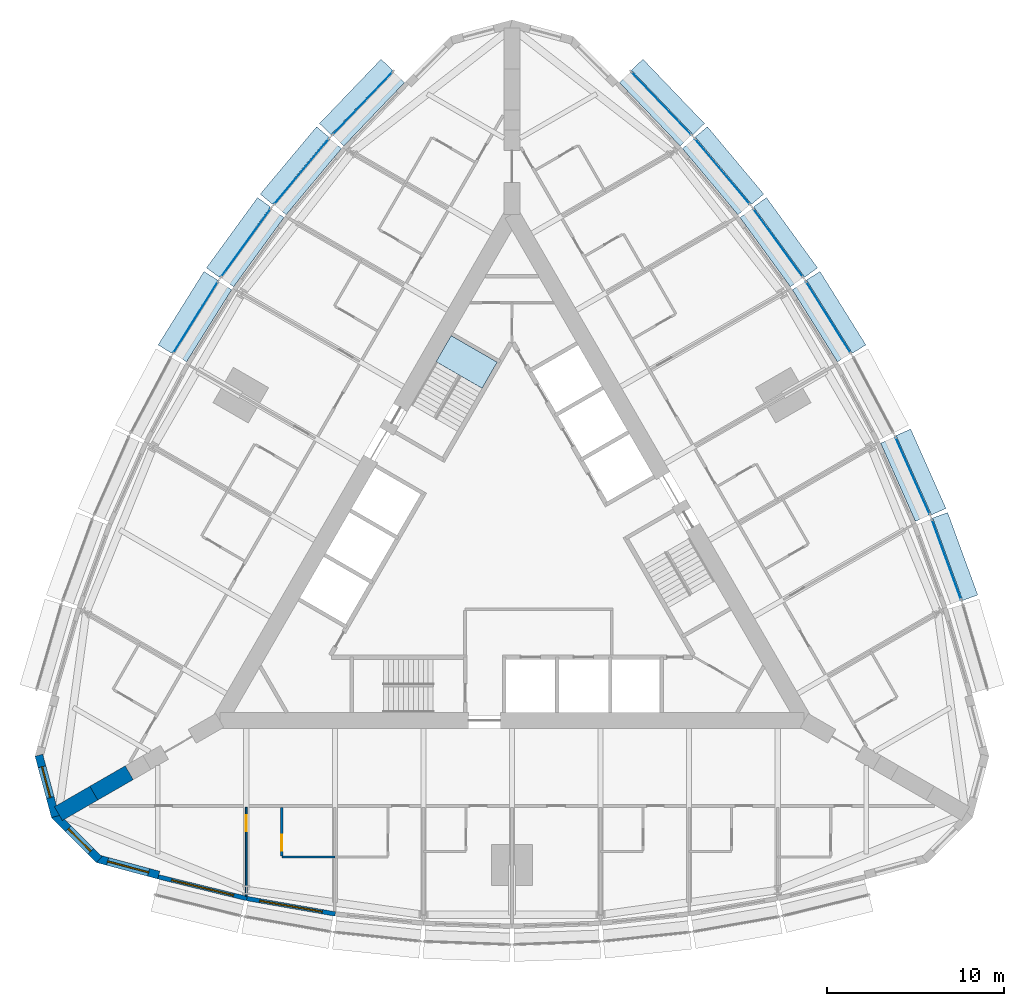
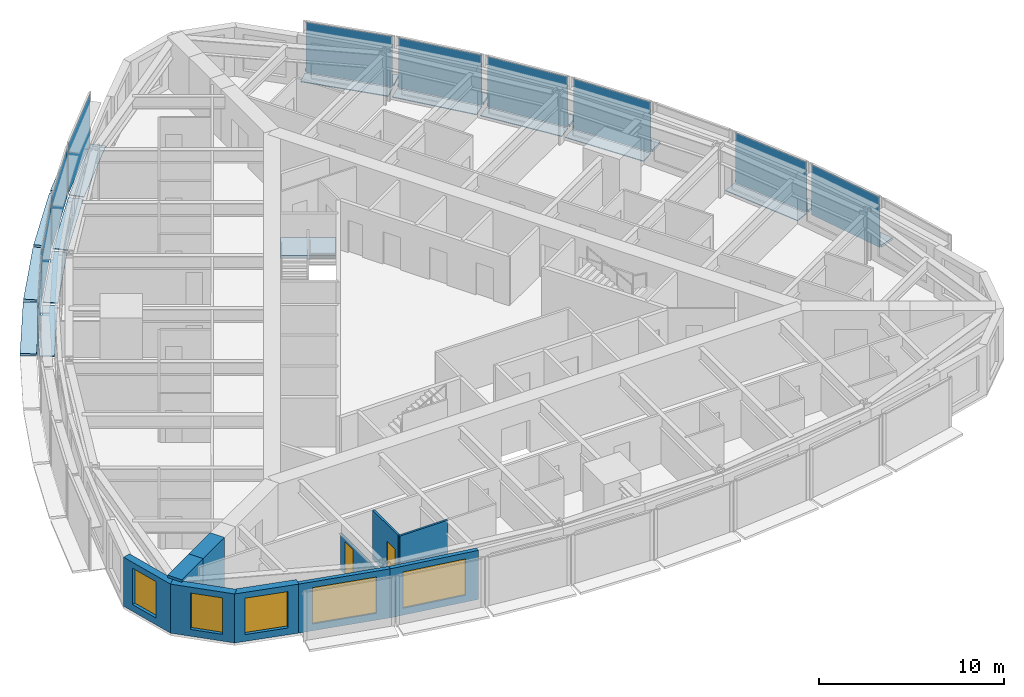
# One storey, part 7 of 14: 29 plates, 10 walls, 5 windows, 2 doors, 1 slab, 7 openings, 11 elements without a shape of their own.
"""IFC4 building model written with IfcOpenShell, lengths in metres."""

from ifc_helpers import new_model, si_unit, direction, frame, frame_2d, origin, origin_2d, place, context, subcontext, project, spatial, polyline, rectangle, outline, extrude, material, layer, layer_set, type_object, element, fill, aggregate, save


model = new_model("IFC4")

# Units and contexts
model_context = context("Model", 3, precision=1e-05, world=origin(), true_north=direction((0.0, 1.0)))
body_context = subcontext(model_context, "Body", "Model", "MODEL_VIEW")
ifc_project = project(units=[si_unit("LENGTHUNIT", "METRE"), si_unit("AREAUNIT", "SQUARE_METRE"), si_unit("VOLUMEUNIT", "CUBIC_METRE"), si_unit("PLANEANGLEUNIT", "RADIAN"), si_unit("MASSUNIT", "GRAM", prefix="KILO")], contexts=[model_context])

# Site, building, storey
site_placement = place(None, origin())
site = spatial("IfcSite", under=ifc_project, at=site_placement, CompositionType="ELEMENT")
building_placement = place(site_placement, origin())
building = spatial("IfcBuilding", under=site, at=building_placement, Name="Trikona Tower", CompositionType="ELEMENT")
storey_placement = place(building_placement, frame((0.0, 0.0, 148.699951171875)))
storey = spatial("IfcBuildingStorey", under=building, at=storey_placement, Name="L39", CompositionType="ELEMENT", Elevation=148.699951171875)

# Plates
ifc_material_1 = material(Name="Aluminium bar grating", Category="aluminium")
ifc_layer_1 = layer(ifc_material_1, 0.050048828125)
ifc_layer_set_1 = layer_set([ifc_layer_1], Name="Cavity catwalk grating")
plate_type_1 = type_object("IfcPlateType", Name="Cavity catwalk grating", PredefinedType="USERDEFINED", material=ifc_layer_set_1)
plate_1_placement = place(storey_placement, frame((22.175048828125, 4.092529296875, -0.0498046875), z_axis=(0.0, 0.0, 1.0), x_axis=(-0.406843467615, 0.913497888809, 0.0)))
element("IfcPlate", 1, at=plate_1_placement, inside=storey, type_object=plate_type_1, Name="Cavity catwalk L39-14", ObjectType="CATWALK GRATING", PredefinedType="USERDEFINED", context=body_context, shape_type="SweptSolid", body=[
    extrude(rectangle(XDim=4.827392578125, YDim=0.830078125, at=origin_2d()), origin(), (0.0, 0.0, 1.0), 0.050048828125),
])
plate_2_placement = place(storey_placement, frame((17.450927734375, 12.978759765625, -0.0498046875), z_axis=(0.0, 0.0, 1.0), x_axis=(-0.529994748414, 0.848000923734, 0.0)))
element("IfcPlate", 2, at=plate_2_placement, inside=storey, type_object=plate_type_1, Name="Cavity catwalk L39-16", ObjectType="CATWALK GRATING", PredefinedType="USERDEFINED", context=body_context, shape_type="SweptSolid", body=[
    extrude(rectangle(XDim=4.802978515625, YDim=0.830078125, at=origin_2d()), origin(), (0.0, 0.0, 1.0), 0.050048828125),
])
plate_3_placement = place(storey_placement, frame((14.6318359375, 17.157958984375, -0.0498046875), z_axis=(0.0, 0.0, 1.0), x_axis=(-0.587686407834, 0.809088799853, 0.0)))
element("IfcPlate", 3, at=plate_3_placement, inside=storey, type_object=plate_type_1, Name="Cavity catwalk L39-17", ObjectType="CATWALK GRATING", PredefinedType="USERDEFINED", context=body_context, shape_type="SweptSolid", body=[
    extrude(rectangle(XDim=4.827392578125, YDim=0.830078125, at=origin_2d()), origin(), (0.0, 0.0, 1.0), 0.050048828125),
])
plate_4_placement = place(storey_placement, frame((11.508056640625, 21.160400390625, -0.0498046875), z_axis=(0.0, 0.0, 1.0), x_axis=(-0.641807063101, 0.766866151133, 0.0)))
element("IfcPlate", 4, at=plate_4_placement, inside=storey, type_object=plate_type_1, Name="Cavity catwalk L39-18", ObjectType="CATWALK GRATING", PredefinedType="USERDEFINED", context=body_context, shape_type="SweptSolid", body=[
    extrude(rectangle(XDim=4.8759765625, YDim=0.830078125, at=origin_2d()), origin(), (0.0, 0.0, 1.0), 0.050048828125),
])
for number, where, z_axis, x_axis, name in (
    (5, (8.080078125, 24.986328125, -0.0498046875), (0.0, 0.0, 1.0), (-0.691723573819, 0.722162376078, 0.0), "Cavity catwalk L39-19"),
    (6, (-8.080078125, 24.986328125, -0.0498046875), (0.0, 0.0, 1.0), (-0.691723573819, -0.722162376078, 0.0), "Cavity catwalk L39-24"),
):
    element("IfcPlate", number, at=place(storey_placement, frame(where, z_axis=z_axis, x_axis=x_axis)), inside=storey, type_object=plate_type_1, Name=name, ObjectType="CATWALK GRATING", PredefinedType="USERDEFINED", context=body_context, shape_type="SweptSolid", body=[
        extrude(rectangle(XDim=4.947998046875, YDim=0.830078125, at=origin_2d()), origin(), (0.0, 0.0, 1.0), 0.050048828125),
    ])
plate_5_placement = place(storey_placement, frame((-11.508056640625, 21.160400390625, -0.0498046875), z_axis=(0.0, 0.0, 1.0), x_axis=(-0.641807063101, -0.766866151133, 0.0)))
element("IfcPlate", 7, at=plate_5_placement, inside=storey, type_object=plate_type_1, Name="Cavity catwalk L39-25", ObjectType="CATWALK GRATING", PredefinedType="USERDEFINED", context=body_context, shape_type="SweptSolid", body=[
    extrude(rectangle(XDim=4.8759765625, YDim=0.830078125, at=origin_2d()), origin(), (0.0, 0.0, 1.0), 0.050048828125),
])
plate_6_placement = place(storey_placement, frame((-14.6318359375, 17.157958984375, -0.0498046875), z_axis=(0.0, 0.0, 1.0), x_axis=(-0.587686407834, -0.809088799853, 0.0)))
element("IfcPlate", 8, at=plate_6_placement, inside=storey, type_object=plate_type_1, Name="Cavity catwalk L39-26", ObjectType="CATWALK GRATING", PredefinedType="USERDEFINED", context=body_context, shape_type="SweptSolid", body=[
    extrude(rectangle(XDim=4.827392578125, YDim=0.830078125, at=origin_2d()), origin(), (0.0, 0.0, 1.0), 0.050048828125),
])
plate_7_placement = place(storey_placement, frame((-17.450927734375, 12.978759765625, -0.0498046875), z_axis=(0.0, 0.0, 1.0), x_axis=(-0.529994748414, -0.848000923734, 0.0)))
element("IfcPlate", 9, at=plate_7_placement, inside=storey, type_object=plate_type_1, Name="Cavity catwalk L39-27", ObjectType="CATWALK GRATING", PredefinedType="USERDEFINED", context=body_context, shape_type="SweptSolid", body=[
    extrude(rectangle(XDim=4.802978515625, YDim=0.830078125, at=origin_2d()), origin(), (0.0, 0.0, 1.0), 0.050048828125),
])

# Curtain wall, plate
ifc_material_2 = material(Name="Aluminium curtain wall system", Category="aluminium")
curtain_wall_type = type_object("IfcCurtainWallType", Name="Curtain wall DS2", PredefinedType="NOTDEFINED", material=ifc_material_2)
curtain_wall_1_placement = place(storey_placement, origin())
curtain_wall_1 = element("IfcCurtainWall", 10, at=curtain_wall_1_placement, inside=storey, type_object=curtain_wall_type, Name="Curtain wall DS2 L39", PredefinedType="NOTDEFINED")
ifc_material_3 = material(Name="Laminated clear glass", Category="glass")
ifc_layer_2 = layer(ifc_material_3, 0.028076171875)
ifc_layer_set_2 = layer_set([ifc_layer_2], Name="Glass panel DS2")
plate_type_2 = type_object("IfcPlateType", Name="Glass panel DS2", PredefinedType="CURTAIN_PANEL", material=ifc_layer_set_2)
plate_8_placement = place(storey_placement, frame((24.53515625, -0.447509765625, 0.0), z_axis=(0.0, 0.0, 1.0), x_axis=(-0.343223420143, 0.939253790978, 0.0)))
plate_8 = element("IfcPlate", 11, at=plate_8_placement, type_object=plate_type_2, Name="CW-DS2 panel 1.1", PredefinedType="CURTAIN_PANEL", context=body_context, shape_type="SweptSolid", body=[
    extrude(rectangle(XDim=4.7958984375, YDim=0.028076171875, at=origin_2d()), origin(), (0.0, 0.0, 1.0), 3.320068359375),
])
aggregate(curtain_wall_1, [plate_8])

curtain_wall_2_placement = place(storey_placement, origin())
curtain_wall_2 = element("IfcCurtainWall", 12, at=curtain_wall_2_placement, inside=storey, type_object=curtain_wall_type, Name="Curtain wall DS2 L39", PredefinedType="NOTDEFINED")
plate_9_placement = place(storey_placement, frame((22.6181640625, 4.289794921875, 0.0), z_axis=(0.0, 0.0, 1.0), x_axis=(-0.406836013132, 0.913501208767, 0.0)))
plate_9 = element("IfcPlate", 13, at=plate_9_placement, type_object=plate_type_2, Name="CW-DS2 panel 1.1", PredefinedType="CURTAIN_PANEL", context=body_context, shape_type="SweptSolid", body=[
    extrude(rectangle(XDim=4.747314453125, YDim=0.028076171875, at=origin_2d()), origin(), (0.0, 0.0, 1.0), 3.320068359375),
])
aggregate(curtain_wall_2, [plate_9])

curtain_wall_3_placement = place(storey_placement, origin())
curtain_wall_3 = element("IfcCurtainWall", 14, at=curtain_wall_3_placement, inside=storey, type_object=curtain_wall_type, Name="Curtain wall DS2 L39", PredefinedType="NOTDEFINED")
plate_10_placement = place(storey_placement, frame((17.8623046875, 13.23583984375, 0.0), z_axis=(0.0, 0.0, 1.0), x_axis=(-0.529998940002, 0.847998304006, 0.0)))
plate_10 = element("IfcPlate", 15, at=plate_10_placement, type_object=plate_type_2, Name="CW-DS2 panel 1.1", PredefinedType="CURTAIN_PANEL", context=body_context, shape_type="SweptSolid", body=[
    extrude(rectangle(XDim=4.72314453125, YDim=0.028076171875, at=origin_2d()), origin(), (0.0, 0.0, 1.0), 3.320068359375),
])
aggregate(curtain_wall_3, [plate_10])

curtain_wall_4_placement = place(storey_placement, origin())
curtain_wall_4 = element("IfcCurtainWall", 16, at=curtain_wall_4_placement, inside=storey, type_object=curtain_wall_type, Name="Curtain wall DS2 L39", PredefinedType="NOTDEFINED")
plate_11_placement = place(storey_placement, frame((15.024169921875, 17.443115234375, 0.0), z_axis=(0.0, 0.0, 1.0), x_axis=(-0.587690588313, 0.80908576332, 0.0)))
plate_11 = element("IfcPlate", 17, at=plate_11_placement, type_object=plate_type_2, Name="CW-DS2 panel 1.1", PredefinedType="CURTAIN_PANEL", context=body_context, shape_type="SweptSolid", body=[
    extrude(rectangle(XDim=4.74755859375, YDim=0.028076171875, at=origin_2d()), origin(), (0.0, 0.0, 1.0), 3.320068359375),
])
aggregate(curtain_wall_4, [plate_11])

curtain_wall_5_placement = place(storey_placement, origin())
curtain_wall_5 = element("IfcCurtainWall", 18, at=curtain_wall_5_placement, inside=storey, type_object=curtain_wall_type, Name="Curtain wall DS2 L39", PredefinedType="NOTDEFINED")
plate_12_placement = place(storey_placement, frame((11.8798828125, 21.4716796875, 0.0), z_axis=(0.0, 0.0, 1.0), x_axis=(-0.641806433248, 0.766866678271, 0.0)))
plate_12 = element("IfcPlate", 19, at=plate_12_placement, type_object=plate_type_2, Name="CW-DS2 panel 1.1", PredefinedType="CURTAIN_PANEL", context=body_context, shape_type="SweptSolid", body=[
    extrude(rectangle(XDim=4.7958984375, YDim=0.028076171875, at=origin_2d()), origin(), (0.0, 0.0, 1.0), 3.320068359375),
])
aggregate(curtain_wall_5, [plate_12])

curtain_wall_6_placement = place(storey_placement, origin())
curtain_wall_6 = element("IfcCurtainWall", 20, at=curtain_wall_6_placement, inside=storey, type_object=curtain_wall_type, Name="Curtain wall DS2 L39", PredefinedType="NOTDEFINED")
plate_13_placement = place(storey_placement, frame((8.430419921875, 25.32177734375, 0.0), z_axis=(0.0, 0.0, 1.0), x_axis=(-0.691727797117, 0.722158330767, 0.0)))
plate_13 = element("IfcPlate", 21, at=plate_13_placement, type_object=plate_type_2, Name="CW-DS2 panel 1.1", PredefinedType="CURTAIN_PANEL", context=body_context, shape_type="SweptSolid", body=[
    extrude(rectangle(XDim=4.867919921875, YDim=0.028076171875, at=origin_2d()), origin(), (0.0, 0.0, 1.0), 3.320068359375),
])
aggregate(curtain_wall_6, [plate_13])

curtain_wall_7_placement = place(storey_placement, origin())
curtain_wall_7 = element("IfcCurtainWall", 22, at=curtain_wall_7_placement, inside=storey, type_object=curtain_wall_type, Name="Curtain wall DS2 L39", PredefinedType="NOTDEFINED")
plate_14_placement = place(storey_placement, frame((-8.430419921875, 25.32177734375, 0.0), z_axis=(0.0, 0.0, 1.0), x_axis=(-0.691727797117, -0.722158330767, 0.0)))
plate_14 = element("IfcPlate", 23, at=plate_14_placement, type_object=plate_type_2, Name="CW-DS2 panel 1.1", PredefinedType="CURTAIN_PANEL", context=body_context, shape_type="SweptSolid", body=[
    extrude(rectangle(XDim=4.867919921875, YDim=0.028076171875, at=origin_2d()), origin(), (0.0, 0.0, 1.0), 3.320068359375),
])
aggregate(curtain_wall_7, [plate_14])

curtain_wall_8_placement = place(storey_placement, origin())
curtain_wall_8 = element("IfcCurtainWall", 24, at=curtain_wall_8_placement, inside=storey, type_object=curtain_wall_type, Name="Curtain wall DS2 L39", PredefinedType="NOTDEFINED")
plate_15_placement = place(storey_placement, frame((-11.8798828125, 21.4716796875, 0.0), z_axis=(0.0, 0.0, 1.0), x_axis=(-0.641806433248, -0.766866678271, 0.0)))
plate_15 = element("IfcPlate", 25, at=plate_15_placement, type_object=plate_type_2, Name="CW-DS2 panel 1.1", PredefinedType="CURTAIN_PANEL", context=body_context, shape_type="SweptSolid", body=[
    extrude(rectangle(XDim=4.7958984375, YDim=0.028076171875, at=origin_2d()), origin(), (0.0, 0.0, 1.0), 3.320068359375),
])
aggregate(curtain_wall_8, [plate_15])

curtain_wall_9_placement = place(storey_placement, origin())
curtain_wall_9 = element("IfcCurtainWall", 26, at=curtain_wall_9_placement, inside=storey, type_object=curtain_wall_type, Name="Curtain wall DS2 L39", PredefinedType="NOTDEFINED")
plate_16_placement = place(storey_placement, frame((-15.024169921875, 17.443115234375, 0.0), z_axis=(0.0, 0.0, 1.0), x_axis=(-0.587690588313, -0.80908576332, 0.0)))
plate_16 = element("IfcPlate", 27, at=plate_16_placement, type_object=plate_type_2, Name="CW-DS2 panel 1.1", PredefinedType="CURTAIN_PANEL", context=body_context, shape_type="SweptSolid", body=[
    extrude(rectangle(XDim=4.74755859375, YDim=0.028076171875, at=origin_2d()), origin(), (0.0, 0.0, 1.0), 3.320068359375),
])
aggregate(curtain_wall_9, [plate_16])

curtain_wall_10_placement = place(storey_placement, origin())
curtain_wall_10 = element("IfcCurtainWall", 28, at=curtain_wall_10_placement, inside=storey, type_object=curtain_wall_type, Name="Curtain wall DS2 L39", PredefinedType="NOTDEFINED")
plate_17_placement = place(storey_placement, frame((-17.8623046875, 13.23583984375, 0.0), z_axis=(0.0, 0.0, 1.0), x_axis=(-0.529998940002, -0.847998304006, 0.0)))
plate_17 = element("IfcPlate", 29, at=plate_17_placement, type_object=plate_type_2, Name="CW-DS2 panel 1.1", PredefinedType="CURTAIN_PANEL", context=body_context, shape_type="SweptSolid", body=[
    extrude(rectangle(XDim=4.72314453125, YDim=0.028076171875, at=origin_2d()), origin(), (0.0, 0.0, 1.0), 3.320068359375),
])
aggregate(curtain_wall_10, [plate_17])

# Plates
ifc_material_4 = material(Name="Aluminium plate fin, pale anodised, on stainless steel outriggers", Category="steel")
ifc_layer_3 = layer(ifc_material_4, 0.14990234375)
ifc_layer_set_3 = layer_set([ifc_layer_3], Name="Outer skin fin 900")
plate_type_3 = type_object("IfcPlateType", Name="Outer skin fin 900", PredefinedType="USERDEFINED", material=ifc_layer_set_3)
plate_18_placement = place(storey_placement, frame((25.0234375, -0.26904296875, 0.0), z_axis=(0.0, 0.0, 1.0), x_axis=(-0.343220397324, 0.939254895575, 0.0)))
element("IfcPlate", 30, at=plate_18_placement, inside=storey, type_object=plate_type_3, Name="Outer skin fin L39-13", ObjectType="FIN", PredefinedType="USERDEFINED", context=body_context, shape_type="SweptSolid", body=[
    extrude(rectangle(XDim=4.9560546875, YDim=0.89990234375, at=origin_2d()), origin(), (0.0, 0.0, 1.0), 0.14990234375),
])
plate_19_placement = place(storey_placement, frame((23.09326171875, 4.50146484375, 0.0), z_axis=(0.0, 0.0, 1.0), x_axis=(-0.406843467615, 0.913497888809, 0.0)))
element("IfcPlate", 31, at=plate_19_placement, inside=storey, type_object=plate_type_3, Name="Outer skin fin L39-14", ObjectType="FIN", PredefinedType="USERDEFINED", context=body_context, shape_type="SweptSolid", body=[
    extrude(rectangle(XDim=4.907470703125, YDim=0.89990234375, at=origin_2d()), origin(), (0.0, 0.0, 1.0), 0.14990234375),
])
plate_20_placement = place(storey_placement, frame((18.30322265625, 13.511474609375, 0.0), z_axis=(0.0, 0.0, 1.0), x_axis=(-0.529994748414, 0.848000923734, 0.0)))
element("IfcPlate", 32, at=plate_20_placement, inside=storey, type_object=plate_type_3, Name="Outer skin fin L39-16", ObjectType="FIN", PredefinedType="USERDEFINED", context=body_context, shape_type="SweptSolid", body=[
    extrude(rectangle(XDim=4.883056640625, YDim=0.89990234375, at=origin_2d()), origin(), (0.0, 0.0, 1.0), 0.14990234375),
])
plate_21_placement = place(storey_placement, frame((15.44482421875, 17.74853515625, 0.0), z_axis=(0.0, 0.0, 1.0), x_axis=(-0.587686407834, 0.809088799853, 0.0)))
element("IfcPlate", 33, at=plate_21_placement, inside=storey, type_object=plate_type_3, Name="Outer skin fin L39-17", ObjectType="FIN", PredefinedType="USERDEFINED", context=body_context, shape_type="SweptSolid", body=[
    extrude(rectangle(XDim=4.907470703125, YDim=0.89990234375, at=origin_2d()), origin(), (0.0, 0.0, 1.0), 0.14990234375),
])
plate_22_placement = place(storey_placement, frame((12.27880859375, 21.8056640625, 0.0), z_axis=(0.0, 0.0, 1.0), x_axis=(-0.641807063101, 0.766866151133, 0.0)))
element("IfcPlate", 34, at=plate_22_placement, inside=storey, type_object=plate_type_3, Name="Outer skin fin L39-18", ObjectType="FIN", PredefinedType="USERDEFINED", context=body_context, shape_type="SweptSolid", body=[
    extrude(rectangle(XDim=4.9560546875, YDim=0.89990234375, at=origin_2d()), origin(), (0.0, 0.0, 1.0), 0.14990234375),
])
for number, where, z_axis, x_axis, name in (
    (35, (8.805908203125, 25.681396484375, 0.0), (0.0, 0.0, 1.0), (-0.691723573819, 0.722162376078, 0.0), "Outer skin fin L39-19"),
    (36, (-8.805908203125, 25.681396484375, 0.0), (0.0, 0.0, 1.0), (-0.691723573819, -0.722162376078, 0.0), "Outer skin fin L39-24"),
):
    element("IfcPlate", number, at=place(storey_placement, frame(where, z_axis=z_axis, x_axis=x_axis)), inside=storey, type_object=plate_type_3, Name=name, ObjectType="FIN", PredefinedType="USERDEFINED", context=body_context, shape_type="SweptSolid", body=[
        extrude(rectangle(XDim=5.02783203125, YDim=0.89990234375, at=origin_2d()), origin(), (0.0, 0.0, 1.0), 0.14990234375),
    ])
plate_23_placement = place(storey_placement, frame((-12.27880859375, 21.8056640625, 0.0), z_axis=(0.0, 0.0, 1.0), x_axis=(-0.641807063101, -0.766866151133, 0.0)))
element("IfcPlate", 37, at=plate_23_placement, inside=storey, type_object=plate_type_3, Name="Outer skin fin L39-25", ObjectType="FIN", PredefinedType="USERDEFINED", context=body_context, shape_type="SweptSolid", body=[
    extrude(rectangle(XDim=4.9560546875, YDim=0.89990234375, at=origin_2d()), origin(), (0.0, 0.0, 1.0), 0.14990234375),
])
plate_24_placement = place(storey_placement, frame((-15.44482421875, 17.74853515625, 0.0), z_axis=(0.0, 0.0, 1.0), x_axis=(-0.587686407834, -0.809088799853, 0.0)))
element("IfcPlate", 38, at=plate_24_placement, inside=storey, type_object=plate_type_3, Name="Outer skin fin L39-26", ObjectType="FIN", PredefinedType="USERDEFINED", context=body_context, shape_type="SweptSolid", body=[
    extrude(rectangle(XDim=4.907470703125, YDim=0.89990234375, at=origin_2d()), origin(), (0.0, 0.0, 1.0), 0.14990234375),
])
plate_25_placement = place(storey_placement, frame((-18.30322265625, 13.511474609375, 0.0), z_axis=(0.0, 0.0, 1.0), x_axis=(-0.529994748414, -0.848000923734, 0.0)))
element("IfcPlate", 39, at=plate_25_placement, inside=storey, type_object=plate_type_3, Name="Outer skin fin L39-27", ObjectType="FIN", PredefinedType="USERDEFINED", context=body_context, shape_type="SweptSolid", body=[
    extrude(rectangle(XDim=4.883056640625, YDim=0.89990234375, at=origin_2d()), origin(), (0.0, 0.0, 1.0), 0.14990234375),
])

# Stair, slab
ifc_material_5 = material(Name="Concrete f'c 5000 psi", Category="concrete")
stair_type = type_object("IfcStairType", Name="Core stair", PredefinedType="HALF_TURN_STAIR", material=ifc_material_5)
stair_placement = place(storey_placement, origin())
stair = element("IfcStair", 40, at=stair_placement, inside=storey, type_object=stair_type, Name="Stair C L39", PredefinedType="HALF_TURN_STAIR")
ifc_material_6 = material(Name="Concrete f'c 5000 psi", Category="concrete")
ifc_layer_4 = layer(ifc_material_6, 0.199951171875)
ifc_layer_set_4 = layer_set([ifc_layer_4], Name="Stair landing 200")
slab_type = type_object("IfcSlabType", Name="Stair landing 200", PredefinedType="LANDING", material=ifc_layer_set_4)
slab_placement = place(storey_placement, frame((0.0, 0.0, 1.5)))
slab = element("IfcSlab", 41, at=slab_placement, type_object=slab_type, Name="ST-C landing 2", PredefinedType="LANDING", context=body_context, shape_type="SweptSolid", body=[
    extrude(outline(polyline([(-0.837158203125, 10.702392578125), (-1.688720703125, 9.2275390625), (-4.286865234375, 10.7275390625), (-3.435302734375, 12.202392578125), (-0.837158203125, 10.702392578125)])), origin(), (0.0, 0.0, 1.0), 0.199951171875),
])
aggregate(stair, [slab])

# Wall
ifc_material_7 = material(Name="Metal stud and cement board", Category="gypsum")
ifc_layer_5 = layer(ifc_material_7, 0.1201171875)
ifc_layer_set_5 = layer_set([ifc_layer_5], Name="Bathroom wall 120")
wall_type_1 = type_object("IfcWallType", Name="Bathroom wall 120", PredefinedType="PLUMBINGWALL", material=ifc_layer_set_5)
wall_1_placement = place(storey_placement, frame((-13.0, -17.226318359375, 0.0), z_axis=(0.0, 0.0, 1.0), x_axis=(1.0, 0.0, 0.0)))
element("IfcWall", 42, at=wall_1_placement, inside=storey, type_object=wall_type_1, Name="Bathroom wall 3901.1", PredefinedType="PLUMBINGWALL", context=body_context, shape_type="SweptSolid", body=[
    extrude(rectangle(XDim=3.0, YDim=0.1201171875, at=frame_2d((1.5, 0.0))), origin(), (0.0, 0.0, 1.0), 3.235107421875),
])

# Wall, opening, door
wall_2_placement = place(storey_placement, frame((-13.0, -14.42626953125, 0.0), z_axis=(0.0, 0.0, 1.0), x_axis=(0.0, -1.0, 0.0)))
wall_2 = element("IfcWall", 43, at=wall_2_placement, inside=storey, type_object=wall_type_1, Name="Bathroom wall 3901.1", PredefinedType="PLUMBINGWALL", context=body_context, shape_type="SweptSolid", body=[
    extrude(rectangle(XDim=2.739990234375, YDim=0.1201171875, at=frame_2d((1.3701171875, 0.0))), origin(), (0.0, 0.0, 1.0), 3.235107421875),
])
opening_1_placement = place(wall_2_placement, frame((1.550048828125, 0.0, 0.0)))
opening_1 = element("IfcOpeningElement", 44, at=opening_1_placement, cuts=wall_2, Name="Opening D2", PredefinedType="OPENING", context=body_context, shape_type="SweptSolid", body=[
    extrude(rectangle(XDim=0.89990234375, YDim=2.1298828125, at=frame_2d((0.449951171875, 1.06494140625))), frame((0.0, 0.070068359375, 0.0), z_axis=(0.0, -1.0, 0.0), x_axis=(1.0, 0.0, 0.0)), (0.0, 0.0, 1.0), 0.14013671875),
])
ifc_material_8 = material(Name="Steel door frame with solid-core timber leaf", Category="steel")
door_type_1 = type_object("IfcDoorType", Name="Bathroom door 900x2130", OperationType="SLIDING_TO_LEFT", PredefinedType="DOOR", material=ifc_material_8)
door_1_placement = place(opening_1_placement, origin())
door_1 = element("IfcDoor", 45, at=door_1_placement, inside=storey, type_object=door_type_1, Name="Bathroom door 3901.1", OperationType="SLIDING_TO_LEFT", OverallHeight=2.1298828125, OverallWidth=0.89990234375, PredefinedType="DOOR", context=body_context, shape_type="SweptSolid", body=[
    extrude(rectangle(XDim=0.89990234375, YDim=2.1298828125, at=frame_2d((0.449951171875, 1.06494140625))), frame((0.0, 0.02490234375, 0.0), z_axis=(0.0, -1.0, 0.0), x_axis=(1.0, 0.0, 0.0)), (0.0, 0.0, 1.0), 0.050048828125),
])
fill(opening_1, door_1)

# Wall, opening, window
ifc_material_9 = material(Name="Brick-faced precast concrete", Category="masonry")
ifc_layer_6 = layer(ifc_material_9, 0.449951171875)
ifc_layer_set_6 = layer_set([ifc_layer_6], Name="Brick-faced corner wall 450")
wall_type_2 = type_object("IfcWallType", Name="Brick-faced corner wall 450", PredefinedType="SOLIDWALL", material=ifc_layer_set_6)
wall_3_placement = place(storey_placement, frame((-26.7109375, -11.48876953125, 0.0), z_axis=(0.0, 0.0, 1.0), x_axis=(0.258823421857, -0.965924653531, 0.0)))
wall_3 = element("IfcWall", 46, at=wall_3_placement, inside=storey, type_object=wall_type_2, Name="External wall L39-33", PredefinedType="SOLIDWALL", context=body_context, shape_type="SweptSolid", body=[
    extrude(outline(polyline([(3.58642578125, 0.22509765625), (3.52685546875, 0.22509765625), (3.03515625, 0.09326171875), (3.0, 0.22509765625), (0.0, 0.22509765625), (0.0, -0.22509765625), (3.58642578125, -0.22509765625), (3.58642578125, 0.22509765625)])), origin(), (0.0, 0.0, 1.0), 3.235107421875),
])
opening_2_placement = place(wall_3_placement, frame((0.6748046875, 0.0, 0.449951171875)))
opening_2 = element("IfcOpeningElement", 47, at=opening_2_placement, cuts=wall_3, Name="Opening W1824", PredefinedType="OPENING", context=body_context, shape_type="SweptSolid", body=[
    extrude(rectangle(XDim=1.800048828125, YDim=2.39990234375, at=frame_2d((0.89990234375, 1.199951171875))), frame((0.0, 0.23486328125, 0.0), z_axis=(0.0, -1.0, 0.0), x_axis=(1.0, 0.0, 0.0)), (0.0, 0.0, 1.0), 0.469970703125),
])
ifc_material_10 = material(Name="Aluminium-framed double glazing", Category="aluminium")
window_type_1 = type_object("IfcWindowType", Name="Window 1800x2400", PartitioningType="SINGLE_PANEL", PredefinedType="WINDOW", material=ifc_material_10)
window_1_placement = place(opening_2_placement, origin())
window_1 = element("IfcWindow", 48, at=window_1_placement, inside=storey, type_object=window_type_1, Name="Window 3917", OverallHeight=2.39990234375, OverallWidth=1.800048828125, PartitioningType="SINGLE_PANEL", PredefinedType="WINDOW", context=body_context, shape_type="SweptSolid", body=[
    extrude(rectangle(XDim=1.800048828125, YDim=2.39990234375, at=frame_2d((0.89990234375, 1.199951171875))), frame((0.0, 0.030029296875, 0.0), z_axis=(0.0, -1.0, 0.0), x_axis=(1.0, 0.0, 0.0)), (0.0, 0.0, 1.0), 0.06005859375),
])
fill(opening_2, window_1)

wall_4_placement = place(storey_placement, frame((-25.8408203125, -14.85205078125, 0.0), z_axis=(0.0, 0.0, 1.0), x_axis=(0.707106781187, -0.707106781187, 0.0)))
wall_4 = element("IfcWall", 49, at=wall_4_placement, inside=storey, type_object=wall_type_2, Name="External wall L39-34", PredefinedType="SOLIDWALL", context=body_context, shape_type="SweptSolid", body=[
    extrude(outline(polyline([(3.586181640625, 0.22509765625), (0.58642578125, 0.22509765625), (0.551025390625, 0.09326171875), (0.05908203125, 0.22509765625), (0.0, 0.22509765625), (0.0, -0.22509765625), (3.586181640625, -0.22509765625), (3.586181640625, 0.22509765625)])), origin(), (0.0, 0.0, 1.0), 3.235107421875),
])
opening_3_placement = place(wall_4_placement, frame((1.111328125, 0.0, 0.449951171875)))
opening_3 = element("IfcOpeningElement", 50, at=opening_3_placement, cuts=wall_4, Name="Opening W1824", PredefinedType="OPENING", context=body_context, shape_type="SweptSolid", body=[
    extrude(rectangle(XDim=1.800048828125, YDim=2.39990234375, at=frame_2d((0.89990234375, 1.199951171875))), frame((0.0, 0.23486328125, 0.0), z_axis=(0.0, -1.0, 0.0), x_axis=(1.0, 0.0, 0.0)), (0.0, 0.0, 1.0), 0.469970703125),
])
window_2_placement = place(opening_3_placement, origin())
window_2 = element("IfcWindow", 51, at=window_2_placement, inside=storey, type_object=window_type_1, Name="Window 3901", OverallHeight=2.39990234375, OverallWidth=1.800048828125, PartitioningType="SINGLE_PANEL", PredefinedType="WINDOW", context=body_context, shape_type="SweptSolid", body=[
    extrude(rectangle(XDim=1.800048828125, YDim=2.39990234375, at=frame_2d((0.89990234375, 1.199951171875))), frame((0.0, 0.030029296875, 0.0), z_axis=(0.0, -1.0, 0.0), x_axis=(1.0, 0.0, 0.0)), (0.0, 0.0, 1.0), 0.06005859375),
])
fill(opening_3, window_2)

wall_5_placement = place(storey_placement, frame((-23.406005859375, -17.32958984375, 0.0), z_axis=(0.0, 0.0, 1.0), x_axis=(0.965924653531, -0.258823421857, 0.0)))
wall_5 = element("IfcWall", 52, at=wall_5_placement, inside=storey, type_object=wall_type_2, Name="External wall L39-35", PredefinedType="SOLIDWALL", context=body_context, shape_type="SweptSolid", body=[
    extrude(rectangle(XDim=3.58642578125, YDim=0.449951171875, at=frame_2d((1.793212890625, 0.0))), origin(), (0.0, 0.0, 1.0), 3.235107421875),
])
opening_4_placement = place(wall_5_placement, frame((0.593017578125, 0.0, 0.449951171875)))
opening_4 = element("IfcOpeningElement", 53, at=opening_4_placement, cuts=wall_5, Name="Opening W2424", PredefinedType="OPENING", context=body_context, shape_type="SweptSolid", body=[
    extrude(rectangle(XDim=2.39990234375, YDim=2.39990234375, at=frame_2d((1.199951171875, 1.199951171875))), frame((0.0, 0.23486328125, 0.0), z_axis=(0.0, -1.0, 0.0), x_axis=(1.0, 0.0, 0.0)), (0.0, 0.0, 1.0), 0.469970703125),
])
ifc_material_11 = material(Name="Aluminium-framed double glazing", Category="aluminium")
window_type_2 = type_object("IfcWindowType", Name="Window 2400x2400", PartitioningType="SINGLE_PANEL", PredefinedType="WINDOW", material=ifc_material_11)
window_3_placement = place(opening_4_placement, origin())
window_3 = element("IfcWindow", 54, at=window_3_placement, inside=storey, type_object=window_type_2, Name="Window 3901", OverallHeight=2.39990234375, OverallWidth=2.39990234375, PartitioningType="SINGLE_PANEL", PredefinedType="WINDOW", context=body_context, shape_type="SweptSolid", body=[
    extrude(rectangle(XDim=2.39990234375, YDim=2.39990234375, at=frame_2d((1.199951171875, 1.199951171875))), frame((0.0, 0.030029296875, 0.0), z_axis=(0.0, -1.0, 0.0), x_axis=(1.0, 0.0, 0.0)), (0.0, 0.0, 1.0), 0.06005859375),
])
fill(opening_4, window_3)

# Walls
ifc_material_12 = material(Name="Concrete f'c 10000 psi", Category="concrete")
ifc_layer_7 = layer(ifc_material_12, 0.89990234375)
ifc_layer_set_7 = layer_set([ifc_layer_7], Name="Buttress wall 900")
wall_type_3 = type_object("IfcWallType", Name="Buttress wall 900", PredefinedType="SHEAR", material=ifc_layer_set_7)
for number, where, z_axis, x_axis, name in (
    (55, (-21.6103515625, -12.476806640625, 0.0), (0.0, 0.0, 1.0), (-0.866055313784, -0.499948190782, 0.0), "Buttress wall 3 part 3"),
    (56, (-23.6103515625, -13.63134765625, 0.0), (0.0, 0.0, 1.0), (-0.866009537788, -0.500027479704, 0.0), "Buttress wall 3 part 4"),
):
    element("IfcWall", number, at=place(storey_placement, frame(where, z_axis=z_axis, x_axis=x_axis)), inside=storey, type_object=wall_type_3, Name=name, PredefinedType="SHEAR", context=body_context, shape_type="SweptSolid", body=[
        extrude(rectangle(XDim=2.309326171875, YDim=0.89990234375, at=frame_2d((1.15478515625, 0.0))), origin(), (0.0, 0.0, 1.0), 3.400146484375),
    ])

# Wall, opening, window
ifc_material_13 = material(Name="Insulated precast concrete spandrel panel", Category="concrete")
ifc_layer_8 = layer(ifc_material_13, 0.25)
ifc_layer_set_8 = layer_set([ifc_layer_8], Name="Inner skin wall 250")
wall_type_4 = type_object("IfcWallType", Name="Inner skin wall 250", PredefinedType="STANDARD", material=ifc_layer_set_8)
wall_6_placement = place(storey_placement, frame((-19.97021484375, -18.353759765625, 0.0), z_axis=(0.0, 0.0, 1.0), x_axis=(0.971270024053, -0.237980126011, 0.0)))
wall_6 = element("IfcWall", 57, at=wall_6_placement, inside=storey, type_object=wall_type_4, Name="External wall L39-00", PredefinedType="STANDARD", context=body_context, shape_type="SweptSolid", body=[
    extrude(rectangle(XDim=5.14794921875, YDim=0.25, at=frame_2d((2.573974609375, 0.0))), origin(), (0.0, 0.0, 1.0), 3.235107421875),
])
opening_5_placement = place(wall_6_placement, frame((0.77392578125, 0.0, 0.449951171875)))
opening_5 = element("IfcOpeningElement", 58, at=opening_5_placement, cuts=wall_6, Name="Opening W3624", PredefinedType="OPENING", context=body_context, shape_type="SweptSolid", body=[
    extrude(rectangle(XDim=3.60009765625, YDim=2.39990234375, at=frame_2d((1.800048828125, 1.199951171875))), frame((0.0, 0.135009765625, 0.0), z_axis=(0.0, -1.0, 0.0), x_axis=(1.0, 0.0, 0.0)), (0.0, 0.0, 1.0), 0.27001953125),
])
ifc_material_14 = material(Name="Aluminium-framed double glazing", Category="aluminium")
window_type_3 = type_object("IfcWindowType", Name="Window 3600x2400", PartitioningType="SINGLE_PANEL", PredefinedType="WINDOW", material=ifc_material_14)
window_4_placement = place(opening_5_placement, origin())
window_4 = element("IfcWindow", 59, at=window_4_placement, inside=storey, type_object=window_type_3, Name="Window 3901", OverallHeight=2.39990234375, OverallWidth=3.60009765625, PartitioningType="SINGLE_PANEL", PredefinedType="WINDOW", context=body_context, shape_type="SweptSolid", body=[
    extrude(rectangle(XDim=3.60009765625, YDim=2.39990234375, at=frame_2d((1.800048828125, 1.199951171875))), frame((0.0, 0.030029296875, 0.0), z_axis=(0.0, -1.0, 0.0), x_axis=(1.0, 0.0, 0.0)), (0.0, 0.0, 1.0), 0.06005859375),
])
fill(opening_5, window_4)

wall_7_placement = place(storey_placement, frame((-14.978515625, -19.5771484375, 0.0), z_axis=(0.0, 0.0, 1.0), x_axis=(0.985030467156, -0.172380331752, 0.0)))
wall_7 = element("IfcWall", 60, at=wall_7_placement, inside=storey, type_object=wall_type_4, Name="External wall L39-01", PredefinedType="STANDARD", context=body_context, shape_type="SweptSolid", body=[
    extrude(rectangle(XDim=5.075927734375, YDim=0.25, at=frame_2d((2.5380859375, 0.0))), origin(), (0.0, 0.0, 1.0), 3.235107421875),
])
opening_6_placement = place(wall_7_placement, frame((0.738037109375, 0.0, 0.449951171875)))
opening_6 = element("IfcOpeningElement", 61, at=opening_6_placement, cuts=wall_7, Name="Opening W3624", PredefinedType="OPENING", context=body_context, shape_type="SweptSolid", body=[
    extrude(rectangle(XDim=3.60009765625, YDim=2.39990234375, at=frame_2d((1.800048828125, 1.199951171875))), frame((0.0, 0.135009765625, 0.0), z_axis=(0.0, -1.0, 0.0), x_axis=(1.0, 0.0, 0.0)), (0.0, 0.0, 1.0), 0.27001953125),
])
window_5_placement = place(opening_6_placement, origin())
window_5 = element("IfcWindow", 62, at=window_5_placement, inside=storey, type_object=window_type_3, Name="Window 3901.1", OverallHeight=2.39990234375, OverallWidth=3.60009765625, PartitioningType="SINGLE_PANEL", PredefinedType="WINDOW", context=body_context, shape_type="SweptSolid", body=[
    extrude(rectangle(XDim=3.60009765625, YDim=2.39990234375, at=frame_2d((1.800048828125, 1.199951171875))), frame((0.0, 0.030029296875, 0.0), z_axis=(0.0, -1.0, 0.0), x_axis=(1.0, 0.0, 0.0)), (0.0, 0.0, 1.0), 0.06005859375),
])
fill(opening_6, window_5)

# Wall, opening, door
ifc_material_15 = material(Name="Metal stud and gypsum board, acoustic", Category="gypsum")
ifc_layer_9 = layer(ifc_material_15, 0.10009765625)
ifc_layer_set_9 = layer_set([ifc_layer_9], Name="Suite partition 100")
wall_type_5 = type_object("IfcWallType", Name="Suite partition 100", PredefinedType="PARTITIONING", material=ifc_layer_set_9)
wall_8_placement = place(storey_placement, frame((-15.0, -14.42626953125, 0.0), z_axis=(0.0, 0.0, 1.0), x_axis=(0.0, -1.0, 0.0)))
wall_8 = element("IfcWall", 63, at=wall_8_placement, inside=storey, type_object=wall_type_5, Name="Suite partition L39 F1 u-15", PredefinedType="PARTITIONING", context=body_context, shape_type="SweptSolid", body=[
    extrude(rectangle(XDim=5.0166015625, YDim=0.10009765625, at=frame_2d((2.50830078125, 0.0))), origin(), (0.0, 0.0, 1.0), 2.38916015625),
])
opening_7_placement = place(wall_8_placement, frame((0.449951171875, 0.0, 0.0)))
opening_7 = element("IfcOpeningElement", 64, at=opening_7_placement, cuts=wall_8, Name="Opening D13", PredefinedType="OPENING", context=body_context, shape_type="SweptSolid", body=[
    extrude(rectangle(XDim=0.89990234375, YDim=2.1298828125, at=frame_2d((0.449951171875, 1.06494140625))), frame((0.0, 0.06005859375, 0.0), z_axis=(0.0, -1.0, 0.0), x_axis=(1.0, 0.0, 0.0)), (0.0, 0.0, 1.0), 0.1201171875),
])
ifc_material_16 = material(Name="Steel door frame with solid-core timber leaf", Category="steel")
door_type_2 = type_object("IfcDoorType", Name="Suite door 900x2130", OperationType="SINGLE_SWING_LEFT", PredefinedType="DOOR", material=ifc_material_16)
door_2_placement = place(opening_7_placement, origin())
door_2 = element("IfcDoor", 65, at=door_2_placement, inside=storey, type_object=door_type_2, Name="Suite door 3901", OperationType="SINGLE_SWING_LEFT", OverallHeight=2.1298828125, OverallWidth=0.89990234375, PredefinedType="DOOR", context=body_context, shape_type="SweptSolid", body=[
    extrude(rectangle(XDim=0.89990234375, YDim=2.1298828125, at=frame_2d((0.449951171875, 1.06494140625))), frame((0.0, 0.02490234375, 0.0), z_axis=(0.0, -1.0, 0.0), x_axis=(1.0, 0.0, 0.0)), (0.0, 0.0, 1.0), 0.050048828125),
])
fill(opening_7, door_2)

save(model, "model.ifc")
